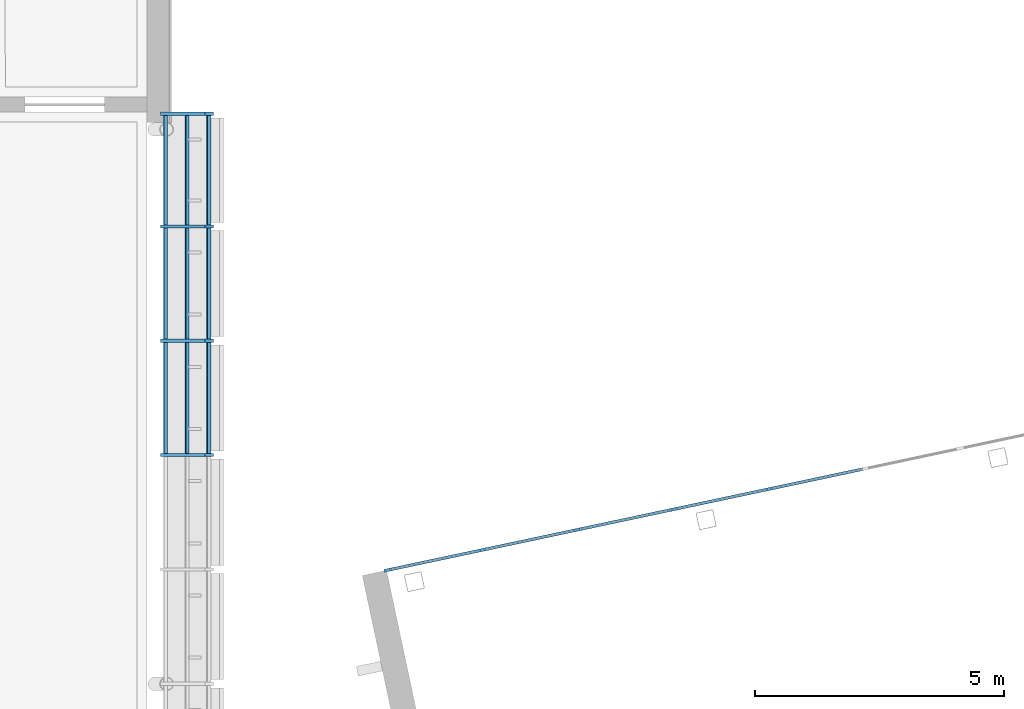
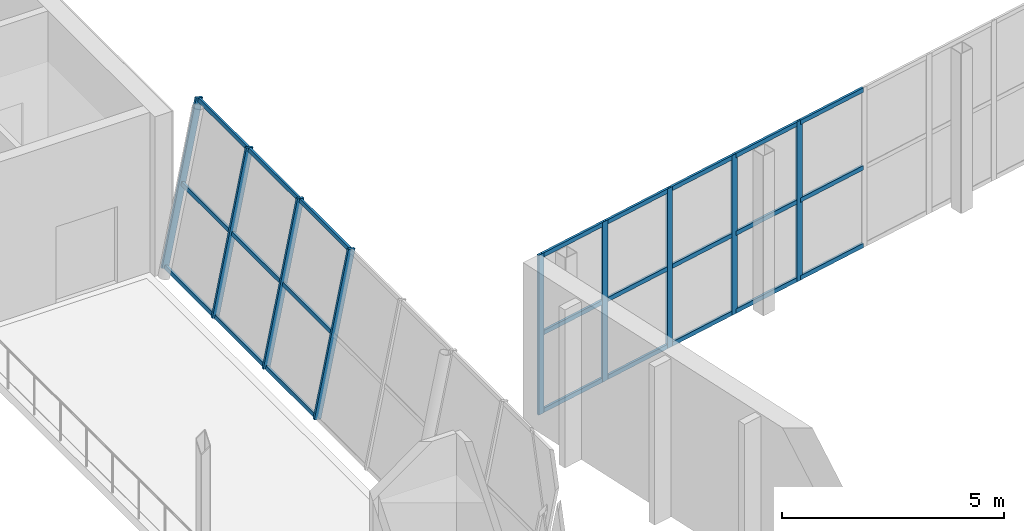
# One storey, part 41 of 115: 33 members, 2 elements without a shape of their own.
"""IFC4 building model written with IfcOpenShell, lengths in metres."""

import ifcopenshell
import ifcopenshell.guid

model = None  # the IFC model being written
_history = None  # IfcOwnerHistory: only IFC2X3 demands one
_inside = {}  # id of a spatial element -> (the spatial element, [elements in it])
_under = {}  # id of a project, library or spatial element -> (it, [spatial elements below it])
_declared = {}  # id of a project -> (the project, [libraries it declares])
_typed = {}  # id of a type object -> (the type object, [elements of that type])
_made_of = {}  # id of a material, layer set ... -> (it, [elements and type objects made of it])


def new_model(schema):
    """Start an empty IFC model of exactly this schema.

    Asked for "IFC4X3", IfcOpenShell would pick the latest addendum, in which some entities
    have other attributes; the version numbers below select the first issue.
    IFC2X3 requires an IfcOwnerHistory on every rooted entity: one is made here for all.
    """
    global model, _history
    if schema == "IFC4X3":
        model = ifcopenshell.file(schema_version=(4, 3, 0, 0))
    else:
        model = ifcopenshell.file(schema=schema)
    _inside.clear()
    _under.clear()
    _declared.clear()
    _typed.clear()
    _made_of.clear()
    _history = None
    if model.schema == "IFC2X3":
        org = make("IfcOrganization", Name="unknown")
        user = make(
            "IfcPersonAndOrganization",
            ThePerson=make("IfcPerson", FamilyName="unknown"),
            TheOrganization=org,
        )
        app = make(
            "IfcApplication",
            ApplicationDeveloper=org,
            Version="unknown",
            ApplicationFullName="unknown",
            ApplicationIdentifier="unknown",
        )
        _history = make(
            "IfcOwnerHistory",
            OwningUser=user,
            OwningApplication=app,
            ChangeAction="ADDED",
            CreationDate=0,
        )
    return model


def make(cls, **values):
    """One entity of the class cls with the attributes given. An attribute that is None is left unset."""
    return model.create_entity(
        cls, **{name: value for name, value in values.items() if value is not None}
    )


def rooted(cls, **values):
    """An entity with a GlobalId (a new one), such as an element, a storey or a relation."""
    return make(cls, GlobalId=ifcopenshell.guid.new(), OwnerHistory=_history, **values)


def si_unit(unit_type, name, prefix=None):
    """IfcSIUnit, for example si_unit("LENGTHUNIT", "METRE", prefix="MILLI")."""
    return make("IfcSIUnit", UnitType=unit_type, Prefix=prefix, Name=name)


def assignment(units):
    """IfcUnitAssignment: the units of a project."""
    return None if units is None else make("IfcUnitAssignment", Units=units)


def point(xyz):
    """IfcCartesianPoint."""
    return None if xyz is None else make("IfcCartesianPoint", Coordinates=xyz)


def direction(xyz):
    """IfcDirection."""
    return None if xyz is None else make("IfcDirection", DirectionRatios=xyz)


def frame(location, z_axis=None, x_axis=None):
    """IfcAxis2Placement3D, a coordinate frame: its origin and axes. An axis left out is left unset."""
    return make(
        "IfcAxis2Placement3D",
        Location=point(location),
        Axis=direction(z_axis),
        RefDirection=direction(x_axis),
    )


def frame_2d(location, x_axis=None):
    """IfcAxis2Placement2D, a coordinate frame in the plane: its origin and x axis."""
    return make(
        "IfcAxis2Placement2D", Location=point(location), RefDirection=direction(x_axis)
    )


def origin():
    """The frame at (0, 0, 0) with its axes left unset."""
    return frame((0.0, 0.0, 0.0))


def origin_2d():
    """The frame at (0, 0) in the plane with its x axis left unset."""
    return frame_2d((0.0, 0.0))


def place(relative_to, where):
    """IfcLocalPlacement: puts the frame where relative to a parent placement (None: the world)."""
    return make(
        "IfcLocalPlacement", PlacementRelTo=relative_to, RelativePlacement=where
    )


def context(
    kind, dimensions, precision=None, world=None, true_north=None, identifier=None
):
    """IfcGeometricRepresentationContext, for example the 3D "Model" context."""
    return make(
        "IfcGeometricRepresentationContext",
        ContextIdentifier=identifier,
        ContextType=kind,
        CoordinateSpaceDimension=dimensions,
        Precision=precision,
        WorldCoordinateSystem=world,
        TrueNorth=true_north,
    )


def subcontext(parent, identifier, kind, view, scale=None):
    """IfcGeometricRepresentationSubContext, for example "Body" below "Model"."""
    return make(
        "IfcGeometricRepresentationSubContext",
        ContextIdentifier=identifier,
        ContextType=kind,
        ParentContext=parent,
        TargetScale=scale,
        TargetView=view,
    )


def project(units=None, contexts=None):
    """IfcProject with its units and contexts."""
    return rooted(
        "IfcProject",
        Name="project",
        RepresentationContexts=contexts,
        UnitsInContext=assignment(units),
    )


def spatial(cls, under=None, at=None, **own):
    """A site, building, storey or space (cls), placed at a placement, below another one or the project."""
    s = rooted(cls, ObjectPlacement=at, **own)
    if under is not None:
        _under.setdefault(under.id(), (under, []))[1].append(s)
    return s


def profile(cls, at=None, kind="AREA", **sizes):
    """A parametric profile (cls). Its sizes go by their IFC names, for example OverallWidth=200.0."""
    return make(cls, ProfileType=kind, Position=at, **sizes)


def rectangle(**sizes):
    """IfcRectangleProfileDef."""
    return profile("IfcRectangleProfileDef", **sizes)


def extrude(swept, where, along, depth):
    """IfcExtrudedAreaSolid: the profile swept, set in the frame where, extruded along a direction by depth."""
    return make(
        "IfcExtrudedAreaSolid",
        SweptArea=swept,
        Position=where,
        ExtrudedDirection=direction(along),
        Depth=depth,
    )


def shape(context_of_items, identifier, shape_type, items):
    """IfcShapeRepresentation: the items that make up one representation, for example the "Body"."""
    return make(
        "IfcShapeRepresentation",
        ContextOfItems=context_of_items,
        RepresentationIdentifier=identifier,
        RepresentationType=shape_type,
        Items=items,
    )


def material(Name=None, Category=None):
    """IfcMaterial."""
    return make("IfcMaterial", Name=Name, Category=Category)


def layer(
    of_material, thickness, ventilated=None, Name=None, Category=None, Priority=None
):
    """IfcMaterialLayer: one layer of a wall or slab, of a material (None: an air gap)."""
    return make(
        "IfcMaterialLayer",
        Material=of_material,
        LayerThickness=thickness,
        IsVentilated=ventilated,
        Name=Name,
        Category=Category,
        Priority=Priority,
    )


def layer_set(layers, Name=None):
    """IfcMaterialLayerSet."""
    return make("IfcMaterialLayerSet", MaterialLayers=layers, LayerSetName=Name)


def material_profile(
    of_material, cross_section, Name=None, Category=None, Priority=None
):
    """IfcMaterialProfile: a cross section and its material."""
    return make(
        "IfcMaterialProfile",
        Name=Name,
        Material=of_material,
        Profile=cross_section,
        Priority=Priority,
        Category=Category,
    )


def profile_set(profiles, Name=None, composite=None):
    """IfcMaterialProfileSet."""
    return make(
        "IfcMaterialProfileSet",
        Name=Name,
        MaterialProfiles=profiles,
        CompositeProfile=composite,
    )


def made_of(thing, what):
    """Note that an element or type object is made of a material, layer set ...; save() writes the relation."""
    if what is not None:
        _made_of.setdefault(what.id(), (what, []))[1].append(thing)
    return thing


def type_object(cls, material=None, **own):
    """A type object (cls), such as IfcWallType, which elements share."""
    return made_of(rooted(cls, **own), material)


def element(
    cls,
    number,
    at=None,
    inside=None,
    cuts=None,
    type_object=None,
    material=None,
    context=None,
    identifier="Body",
    shape_type=None,
    held_by="IfcProductDefinitionShape",
    body=None,
    shapes=None,
    **own,
):
    """One element of the class cls, such as IfcWall. Its Tag is "e" and its number.

    at: its placement. inside: the storey or other place that contains it. cuts: it is an
    opening in that element (IfcRelVoidsElement). A single representation is given by context,
    identifier, shape_type and body (its items); several are given by shapes. held_by: the class
    of the entity that holds the representations. save() writes the other relations.
    """
    e = rooted(cls, Tag="e%d" % number, ObjectPlacement=at, **own)
    if body is not None:
        shapes = [shape(context, identifier, shape_type, body)]
    if shapes is not None:
        e.Representation = make(held_by, Representations=shapes)
    if inside is not None:
        _inside.setdefault(inside.id(), (inside, []))[1].append(e)
    if cuts is not None:
        rooted(
            "IfcRelVoidsElement", RelatingBuildingElement=cuts, RelatedOpeningElement=e
        )
    if type_object is not None:
        _typed.setdefault(type_object.id(), (type_object, []))[1].append(e)
    return made_of(e, material)


def aggregate(whole, parts):
    """IfcRelAggregates: a whole, such as a stair, and the parts it consists of."""
    return rooted("IfcRelAggregates", RelatingObject=whole, RelatedObjects=parts)


def save(model, path):
    """Write the relations noted so far, then the file.

    IfcRelAggregates (storeys below a building ...), IfcRelContainedInSpatialStructure (elements
    in a storey), IfcRelDefinesByType, IfcRelAssociatesMaterial and IfcRelDeclares: one each for
    every whole, place, type object, material and project.
    """
    for whole, parts in _under.values():
        aggregate(whole, parts)
    for where, things in _inside.values():
        rooted(
            "IfcRelContainedInSpatialStructure",
            RelatedElements=things,
            RelatingStructure=where,
        )
    for kind, things in _typed.values():
        rooted("IfcRelDefinesByType", RelatedObjects=things, RelatingType=kind)
    for what, things in _made_of.values():
        rooted("IfcRelAssociatesMaterial", RelatedObjects=things, RelatingMaterial=what)
    for by, libraries in _declared.values():
        rooted("IfcRelDeclares", RelatingContext=by, RelatedDefinitions=libraries)
    model.write(path)


model = new_model("IFC4")

# Units and contexts
model_context = context("Model", 3, precision=1e-05, world=origin(), true_north=direction((0.0, 1.0)))
body_context = subcontext(model_context, "Body", "Model", "MODEL_VIEW")
ifc_project = project(units=[si_unit("LENGTHUNIT", "METRE"), si_unit("AREAUNIT", "SQUARE_METRE"), si_unit("VOLUMEUNIT", "CUBIC_METRE"), si_unit("PLANEANGLEUNIT", "RADIAN"), si_unit("MASSUNIT", "GRAM", prefix="KILO")], contexts=[model_context])

# Site, building, storey
site_placement = place(None, origin())
site = spatial("IfcSite", under=ifc_project, at=site_placement, CompositionType="ELEMENT")
building_placement = place(site_placement, origin())
building = spatial("IfcBuilding", under=site, at=building_placement, Name="Windward Yard Aquatics Centre", CompositionType="ELEMENT")
storey_placement = place(building_placement, frame((0.0, 0.0, 5.0)))
storey = spatial("IfcBuildingStorey", under=building, at=storey_placement, Name="L01", CompositionType="ELEMENT", Elevation=5.0)

# Curtain wall, members
ifc_material_1 = material(Name="Aluminium and glass", Category="aluminium")
ifc_layer_1 = layer(ifc_material_1, 0.159912109375)
ifc_layer_set_1 = layer_set([ifc_layer_1], Name="D curtain wall 160")
curtain_wall_type_1 = type_object("IfcCurtainWallType", Name="D curtain wall 160", PredefinedType="NOTDEFINED", material=ifc_layer_set_1)
curtain_wall_1_placement = place(storey_placement, origin())
curtain_wall_1 = element("IfcCurtainWall", 1, at=curtain_wall_1_placement, inside=storey, type_object=curtain_wall_type_1, Name="North glazing L01", PredefinedType="NOTDEFINED")
ifc_material_2 = material(Name="Aluminium extrusion", Category="aluminium")
ifc_material_profile_1 = material_profile(ifc_material_2, rectangle(XDim=0.06005859375, YDim=0.159912109375, at=origin_2d()), Name="MULLION 60X160")
ifc_profile_set_1 = profile_set([ifc_material_profile_1], Name="Aluminium extrusion")
member_type_1 = type_object("IfcMemberType", Name="D curtain wall mullion 60X160", PredefinedType="MULLION", material=ifc_profile_set_1)
member_1_placement = place(storey_placement, frame((156.399169921875, 74.788330078125, 0.0), z_axis=(0.0, 0.0, 1.0), x_axis=(-0.207911718662, 0.978147594815, 0.0)))
member_1 = element("IfcMember", 2, at=member_1_placement, type_object=member_type_1, Name="DCW-L01 mullion 1", PredefinedType="MULLION", context=body_context, shape_type="SweptSolid", body=[
    extrude(rectangle(XDim=0.06005859375, YDim=0.159912109375, at=origin_2d()), origin(), (0.0, 0.0, 1.0), 4.39990234375),
])
member_2_placement = place(storey_placement, frame((158.292724609375, 75.19091796875, 0.0), z_axis=(0.0, 0.0, 1.0), x_axis=(-0.207911718662, 0.978147594815, 0.0)))
member_2 = element("IfcMember", 3, at=member_2_placement, type_object=member_type_1, Name="DCW-L01 mullion 2", PredefinedType="MULLION", context=body_context, shape_type="SweptSolid", body=[
    extrude(rectangle(XDim=0.06005859375, YDim=0.159912109375, at=origin_2d()), origin(), (0.0, 0.0, 1.0), 4.39990234375),
])
member_3_placement = place(storey_placement, frame((160.215576171875, 75.599609375, 0.0), z_axis=(0.0, 0.0, 1.0), x_axis=(-0.207911718662, 0.978147594815, 0.0)))
member_3 = element("IfcMember", 4, at=member_3_placement, type_object=member_type_1, Name="DCW-L01 mullion 3", PredefinedType="MULLION", context=body_context, shape_type="SweptSolid", body=[
    extrude(rectangle(XDim=0.06005859375, YDim=0.159912109375, at=origin_2d()), origin(), (0.0, 0.0, 1.0), 4.39990234375),
])
member_4_placement = place(storey_placement, frame((162.13818359375, 76.00830078125, 0.0), z_axis=(0.0, 0.0, 1.0), x_axis=(-0.207911718662, 0.978147594815, 0.0)))
member_4 = element("IfcMember", 5, at=member_4_placement, type_object=member_type_1, Name="DCW-L01 mullion 4", PredefinedType="MULLION", context=body_context, shape_type="SweptSolid", body=[
    extrude(rectangle(XDim=0.06005859375, YDim=0.159912109375, at=origin_2d()), origin(), (0.0, 0.0, 1.0), 4.39990234375),
])
member_5_placement = place(storey_placement, frame((164.06103515625, 76.4169921875, 0.0), z_axis=(0.0, 0.0, 1.0), x_axis=(-0.207911718662, 0.978147594815, 0.0)))
member_5 = element("IfcMember", 6, at=member_5_placement, type_object=member_type_1, Name="DCW-L01 mullion 5", PredefinedType="MULLION", context=body_context, shape_type="SweptSolid", body=[
    extrude(rectangle(XDim=0.06005859375, YDim=0.159912109375, at=origin_2d()), origin(), (0.0, 0.0, 1.0), 4.39990234375),
])
ifc_material_profile_2 = material_profile(ifc_material_2, rectangle(XDim=0.06005859375, YDim=0.1201171875, at=origin_2d()), Name="TRANSOM 60X120")
ifc_profile_set_2 = profile_set([ifc_material_profile_2], Name="Aluminium extrusion")
member_type_2 = type_object("IfcMemberType", Name="D curtain wall transom 60X120", PredefinedType="USERDEFINED", material=ifc_profile_set_2)
member_6_placement = place(storey_placement, frame((156.428466796875, 74.794677734375, 0.06005859375), z_axis=(0.97815719688, 0.207866539377, 0.0), x_axis=(-0.207866539377, 0.97815719688, 0.0)))
member_6 = element("IfcMember", 7, at=member_6_placement, type_object=member_type_2, Name="DCW-L01 transom 1.1", ObjectType="TRANSOM", PredefinedType="USERDEFINED", context=body_context, shape_type="SweptSolid", body=[
    extrude(rectangle(XDim=0.06005859375, YDim=0.1201171875, at=origin_2d()), origin(), (0.0, 0.0, 1.0), 1.875732421875),
])
member_7_placement = place(storey_placement, frame((156.428466796875, 74.794677734375, 2.199951171875), z_axis=(0.97815719688, 0.207866539377, 0.0), x_axis=(-0.207866539377, 0.97815719688, 0.0)))
member_7 = element("IfcMember", 8, at=member_7_placement, type_object=member_type_2, Name="DCW-L01 transom 1.2", ObjectType="TRANSOM", PredefinedType="USERDEFINED", context=body_context, shape_type="SweptSolid", body=[
    extrude(rectangle(XDim=0.06005859375, YDim=0.1201171875, at=origin_2d()), origin(), (0.0, 0.0, 1.0), 1.875732421875),
])
member_8_placement = place(storey_placement, frame((156.428466796875, 74.794677734375, 4.340087890625), z_axis=(0.97815719688, 0.207866539377, 0.0), x_axis=(-0.207866539377, 0.97815719688, 0.0)))
member_8 = element("IfcMember", 9, at=member_8_placement, type_object=member_type_2, Name="DCW-L01 transom 1.3", ObjectType="TRANSOM", PredefinedType="USERDEFINED", context=body_context, shape_type="SweptSolid", body=[
    extrude(rectangle(XDim=0.06005859375, YDim=0.1201171875, at=origin_2d()), origin(), (0.0, 0.0, 1.0), 1.875732421875),
])
member_9_placement = place(storey_placement, frame((158.322021484375, 75.197021484375, 0.06005859375), z_axis=(0.978144196583, 0.207927705443, 0.0), x_axis=(-0.207927705443, 0.978144196583, 0.0)))
member_9 = element("IfcMember", 10, at=member_9_placement, type_object=member_type_2, Name="DCW-L01 transom 2.1", ObjectType="TRANSOM", PredefinedType="USERDEFINED", context=body_context, shape_type="SweptSolid", body=[
    extrude(rectangle(XDim=0.06005859375, YDim=0.1201171875, at=origin_2d()), origin(), (0.0, 0.0, 1.0), 1.90576171875),
])
member_10_placement = place(storey_placement, frame((158.322021484375, 75.197021484375, 2.199951171875), z_axis=(0.978144196583, 0.207927705443, 0.0), x_axis=(-0.207927705443, 0.978144196583, 0.0)))
member_10 = element("IfcMember", 11, at=member_10_placement, type_object=member_type_2, Name="DCW-L01 transom 2.2", ObjectType="TRANSOM", PredefinedType="USERDEFINED", context=body_context, shape_type="SweptSolid", body=[
    extrude(rectangle(XDim=0.06005859375, YDim=0.1201171875, at=origin_2d()), origin(), (0.0, 0.0, 1.0), 1.90576171875),
])
member_11_placement = place(storey_placement, frame((158.322021484375, 75.197021484375, 4.340087890625), z_axis=(0.978144196583, 0.207927705443, 0.0), x_axis=(-0.207927705443, 0.978144196583, 0.0)))
member_11 = element("IfcMember", 12, at=member_11_placement, type_object=member_type_2, Name="DCW-L01 transom 2.3", ObjectType="TRANSOM", PredefinedType="USERDEFINED", context=body_context, shape_type="SweptSolid", body=[
    extrude(rectangle(XDim=0.06005859375, YDim=0.1201171875, at=origin_2d()), origin(), (0.0, 0.0, 1.0), 1.90576171875),
])
member_12_placement = place(storey_placement, frame((160.244873046875, 75.605712890625, 0.06005859375), z_axis=(0.978144196583, 0.207927705443, 0.0), x_axis=(-0.207927705443, 0.978144196583, 0.0)))
member_12 = element("IfcMember", 13, at=member_12_placement, type_object=member_type_2, Name="DCW-L01 transom 3.1", ObjectType="TRANSOM", PredefinedType="USERDEFINED", context=body_context, shape_type="SweptSolid", body=[
    extrude(rectangle(XDim=0.06005859375, YDim=0.1201171875, at=origin_2d()), origin(), (0.0, 0.0, 1.0), 1.90576171875),
])
member_13_placement = place(storey_placement, frame((160.244873046875, 75.605712890625, 2.199951171875), z_axis=(0.978144196583, 0.207927705443, 0.0), x_axis=(-0.207927705443, 0.978144196583, 0.0)))
member_13 = element("IfcMember", 14, at=member_13_placement, type_object=member_type_2, Name="DCW-L01 transom 3.2", ObjectType="TRANSOM", PredefinedType="USERDEFINED", context=body_context, shape_type="SweptSolid", body=[
    extrude(rectangle(XDim=0.06005859375, YDim=0.1201171875, at=origin_2d()), origin(), (0.0, 0.0, 1.0), 1.90576171875),
])
member_14_placement = place(storey_placement, frame((160.244873046875, 75.605712890625, 4.340087890625), z_axis=(0.978144196583, 0.207927705443, 0.0), x_axis=(-0.207927705443, 0.978144196583, 0.0)))
member_14 = element("IfcMember", 15, at=member_14_placement, type_object=member_type_2, Name="DCW-L01 transom 3.3", ObjectType="TRANSOM", PredefinedType="USERDEFINED", context=body_context, shape_type="SweptSolid", body=[
    extrude(rectangle(XDim=0.06005859375, YDim=0.1201171875, at=origin_2d()), origin(), (0.0, 0.0, 1.0), 1.90576171875),
])
member_15_placement = place(storey_placement, frame((162.167724609375, 76.014404296875, 0.06005859375), z_axis=(0.978144196583, 0.207927705443, 0.0), x_axis=(-0.207927705443, 0.978144196583, 0.0)))
member_15 = element("IfcMember", 16, at=member_15_placement, type_object=member_type_2, Name="DCW-L01 transom 4.1", ObjectType="TRANSOM", PredefinedType="USERDEFINED", context=body_context, shape_type="SweptSolid", body=[
    extrude(rectangle(XDim=0.06005859375, YDim=0.1201171875, at=origin_2d()), origin(), (0.0, 0.0, 1.0), 1.90576171875),
])
member_16_placement = place(storey_placement, frame((162.167724609375, 76.014404296875, 2.199951171875), z_axis=(0.978144196583, 0.207927705443, 0.0), x_axis=(-0.207927705443, 0.978144196583, 0.0)))
member_16 = element("IfcMember", 17, at=member_16_placement, type_object=member_type_2, Name="DCW-L01 transom 4.2", ObjectType="TRANSOM", PredefinedType="USERDEFINED", context=body_context, shape_type="SweptSolid", body=[
    extrude(rectangle(XDim=0.06005859375, YDim=0.1201171875, at=origin_2d()), origin(), (0.0, 0.0, 1.0), 1.90576171875),
])
member_17_placement = place(storey_placement, frame((162.167724609375, 76.014404296875, 4.340087890625), z_axis=(0.978144196583, 0.207927705443, 0.0), x_axis=(-0.207927705443, 0.978144196583, 0.0)))
member_17 = element("IfcMember", 18, at=member_17_placement, type_object=member_type_2, Name="DCW-L01 transom 4.3", ObjectType="TRANSOM", PredefinedType="USERDEFINED", context=body_context, shape_type="SweptSolid", body=[
    extrude(rectangle(XDim=0.06005859375, YDim=0.1201171875, at=origin_2d()), origin(), (0.0, 0.0, 1.0), 1.90576171875),
])
member_18_placement = place(storey_placement, frame((164.090576171875, 76.423095703125, 0.06005859375), z_axis=(0.978144196583, 0.207927705443, 0.0), x_axis=(-0.207927705443, 0.978144196583, 0.0)))
member_18 = element("IfcMember", 19, at=member_18_placement, type_object=member_type_2, Name="DCW-L01 transom 5.1", ObjectType="TRANSOM", PredefinedType="USERDEFINED", context=body_context, shape_type="SweptSolid", body=[
    extrude(rectangle(XDim=0.06005859375, YDim=0.1201171875, at=origin_2d()), origin(), (0.0, 0.0, 1.0), 1.90576171875),
])
member_19_placement = place(storey_placement, frame((164.090576171875, 76.423095703125, 2.199951171875), z_axis=(0.978144196583, 0.207927705443, 0.0), x_axis=(-0.207927705443, 0.978144196583, 0.0)))
member_19 = element("IfcMember", 20, at=member_19_placement, type_object=member_type_2, Name="DCW-L01 transom 5.2", ObjectType="TRANSOM", PredefinedType="USERDEFINED", context=body_context, shape_type="SweptSolid", body=[
    extrude(rectangle(XDim=0.06005859375, YDim=0.1201171875, at=origin_2d()), origin(), (0.0, 0.0, 1.0), 1.90576171875),
])
member_20_placement = place(storey_placement, frame((164.090576171875, 76.423095703125, 4.340087890625), z_axis=(0.978144196583, 0.207927705443, 0.0), x_axis=(-0.207927705443, 0.978144196583, 0.0)))
member_20 = element("IfcMember", 21, at=member_20_placement, type_object=member_type_2, Name="DCW-L01 transom 5.3", ObjectType="TRANSOM", PredefinedType="USERDEFINED", context=body_context, shape_type="SweptSolid", body=[
    extrude(rectangle(XDim=0.06005859375, YDim=0.1201171875, at=origin_2d()), origin(), (0.0, 0.0, 1.0), 1.90576171875),
])
aggregate(curtain_wall_1, [member_1, member_2, member_3, member_4, member_5, member_6, member_7, member_8, member_9, member_10, member_11, member_12, member_13, member_14, member_15, member_16, member_17, member_18, member_19, member_20])

ifc_material_3 = material(Name="Glass and aluminium curtain wall", Category="aluminium")
ifc_layer_2 = layer(ifc_material_3, 0.179931640625)
ifc_layer_set_2 = layer_set([ifc_layer_2], Name="H curtain wall tier 1 double glazed 8+16+8")
curtain_wall_type_2 = type_object("IfcCurtainWallType", Name="H curtain wall tier 1 double glazed 8+16+8", PredefinedType="NOTDEFINED", material=ifc_layer_set_2)
curtain_wall_2_placement = place(storey_placement, origin())
curtain_wall_2 = element("IfcCurtainWall", 22, at=curtain_wall_2_placement, inside=storey, type_object=curtain_wall_type_2, Name="Tier 1 glazing E L01", PredefinedType="NOTDEFINED")
ifc_material_4 = material(Name="Aluminium 6063-T6 anodised", Category="aluminium")
ifc_material_profile_3 = material_profile(ifc_material_4, rectangle(XDim=0.06494140625, YDim=0.179931640625, at=origin_2d()), Name="H CW mullion 65x180")
ifc_profile_set_3 = profile_set([ifc_material_profile_3], Name="Aluminium 6063-T6 anodised")
member_type_3 = type_object("IfcMemberType", Name="H CW mullion 65x180", PredefinedType="MULLION", material=ifc_profile_set_3)
member_21_placement = place(storey_placement, frame((151.911865234375, 77.10009765625, 0.017822265625), z_axis=(0.199380237329, 0.0, 0.979922201485), x_axis=(0.0, 1.0, 0.0)))
member_21 = element("IfcMember", 23, at=member_21_placement, type_object=member_type_3, Name="G1EA mullion 18", PredefinedType="MULLION", context=body_context, shape_type="SweptSolid", body=[
    extrude(rectangle(XDim=0.06494140625, YDim=0.179931640625, at=origin_2d()), origin(), (0.0, 0.0, 1.0), 4.471923828125),
])
member_22_placement = place(storey_placement, frame((151.911865234375, 79.39990234375, 0.017822265625), z_axis=(0.199380237329, 0.0, 0.979922201485), x_axis=(0.0, 1.0, 0.0)))
member_22 = element("IfcMember", 24, at=member_22_placement, type_object=member_type_3, Name="G1EA mullion 19", PredefinedType="MULLION", context=body_context, shape_type="SweptSolid", body=[
    extrude(rectangle(XDim=0.06494140625, YDim=0.179931640625, at=origin_2d()), origin(), (0.0, 0.0, 1.0), 4.471923828125),
])
member_23_placement = place(storey_placement, frame((151.911865234375, 81.699951171875, 0.017822265625), z_axis=(0.199380237329, 0.0, 0.979922201485), x_axis=(0.0, 1.0, 0.0)))
member_23 = element("IfcMember", 25, at=member_23_placement, type_object=member_type_3, Name="G1EA mullion 20", PredefinedType="MULLION", context=body_context, shape_type="SweptSolid", body=[
    extrude(rectangle(XDim=0.06494140625, YDim=0.179931640625, at=origin_2d()), origin(), (0.0, 0.0, 1.0), 4.471923828125),
])
member_24_placement = place(storey_placement, frame((151.911865234375, 83.967529296875, 0.017822265625), z_axis=(0.199380237329, 0.0, 0.979922201485), x_axis=(0.0, 1.0, 0.0)))
member_24 = element("IfcMember", 26, at=member_24_placement, type_object=member_type_3, Name="G1EA mullion 21", PredefinedType="MULLION", context=body_context, shape_type="SweptSolid", body=[
    extrude(rectangle(XDim=0.06494140625, YDim=0.179931640625, at=origin_2d()), origin(), (0.0, 0.0, 1.0), 4.471923828125),
])
ifc_material_profile_4 = material_profile(ifc_material_4, rectangle(XDim=0.06494140625, YDim=0.10009765625, at=origin_2d()), Name="H CW transom 65x100")
ifc_profile_set_4 = profile_set([ifc_material_profile_4], Name="Aluminium 6063-T6 anodised")
member_type_4 = type_object("IfcMemberType", Name="H CW transom 65x100", PredefinedType="USERDEFINED", material=ifc_profile_set_4)
member_25_placement = place(storey_placement, frame((151.91943359375, 77.132568359375, 0.055419921875), z_axis=(0.0, 1.0, 0.0), x_axis=(-0.979924704642, 0.0, 0.199367934315)))
member_25 = element("IfcMember", 27, at=member_25_placement, type_object=member_type_4, Name="G1EA transom 18.1", ObjectType="TRANSOM", PredefinedType="USERDEFINED", context=body_context, shape_type="SweptSolid", body=[
    extrude(rectangle(XDim=0.06494140625, YDim=0.10009765625, at=origin_2d()), origin(), (0.0, 0.0, 1.0), 2.23486328125),
])
member_26_placement = place(storey_placement, frame((152.355712890625, 77.132568359375, 2.199951171875), z_axis=(0.0, 1.0, 0.0), x_axis=(-0.979924704642, 0.0, 0.199367934315)))
member_26 = element("IfcMember", 28, at=member_26_placement, type_object=member_type_4, Name="G1EA transom 18.2", ObjectType="TRANSOM", PredefinedType="USERDEFINED", context=body_context, shape_type="SweptSolid", body=[
    extrude(rectangle(XDim=0.06494140625, YDim=0.10009765625, at=origin_2d()), origin(), (0.0, 0.0, 1.0), 2.23486328125),
])
member_27_placement = place(storey_placement, frame((152.79345703125, 77.132568359375, 4.35107421875), z_axis=(0.0, 1.0, 0.0), x_axis=(-0.979924704642, 0.0, 0.199367934315)))
member_27 = element("IfcMember", 29, at=member_27_placement, type_object=member_type_4, Name="G1EA transom 18.3", ObjectType="TRANSOM", PredefinedType="USERDEFINED", context=body_context, shape_type="SweptSolid", body=[
    extrude(rectangle(XDim=0.06494140625, YDim=0.10009765625, at=origin_2d()), origin(), (0.0, 0.0, 1.0), 2.23486328125),
])
member_28_placement = place(storey_placement, frame((151.91943359375, 79.4326171875, 0.055419921875), z_axis=(0.0, 1.0, 0.0), x_axis=(-0.979924704642, 0.0, 0.199367934315)))
member_28 = element("IfcMember", 30, at=member_28_placement, type_object=member_type_4, Name="G1EA transom 19.1", ObjectType="TRANSOM", PredefinedType="USERDEFINED", context=body_context, shape_type="SweptSolid", body=[
    extrude(rectangle(XDim=0.06494140625, YDim=0.10009765625, at=origin_2d()), origin(), (0.0, 0.0, 1.0), 2.23486328125),
])
member_29_placement = place(storey_placement, frame((152.355712890625, 79.4326171875, 2.199951171875), z_axis=(0.0, 1.0, 0.0), x_axis=(-0.979924704642, 0.0, 0.199367934315)))
member_29 = element("IfcMember", 31, at=member_29_placement, type_object=member_type_4, Name="G1EA transom 19.2", ObjectType="TRANSOM", PredefinedType="USERDEFINED", context=body_context, shape_type="SweptSolid", body=[
    extrude(rectangle(XDim=0.06494140625, YDim=0.10009765625, at=origin_2d()), origin(), (0.0, 0.0, 1.0), 2.23486328125),
])
member_30_placement = place(storey_placement, frame((152.79345703125, 79.4326171875, 4.35107421875), z_axis=(0.0, 1.0, 0.0), x_axis=(-0.979924704642, 0.0, 0.199367934315)))
member_30 = element("IfcMember", 32, at=member_30_placement, type_object=member_type_4, Name="G1EA transom 19.3", ObjectType="TRANSOM", PredefinedType="USERDEFINED", context=body_context, shape_type="SweptSolid", body=[
    extrude(rectangle(XDim=0.06494140625, YDim=0.10009765625, at=origin_2d()), origin(), (0.0, 0.0, 1.0), 2.23486328125),
])
member_31_placement = place(storey_placement, frame((151.91943359375, 81.732421875, 0.055419921875), z_axis=(0.0, 1.0, 0.0), x_axis=(-0.979924704642, 0.0, 0.199367934315)))
member_31 = element("IfcMember", 33, at=member_31_placement, type_object=member_type_4, Name="G1EA transom 20.1", ObjectType="TRANSOM", PredefinedType="USERDEFINED", context=body_context, shape_type="SweptSolid", body=[
    extrude(rectangle(XDim=0.06494140625, YDim=0.10009765625, at=origin_2d()), origin(), (0.0, 0.0, 1.0), 2.20263671875),
])
member_32_placement = place(storey_placement, frame((152.355712890625, 81.732421875, 2.199951171875), z_axis=(0.0, 1.0, 0.0), x_axis=(-0.979924704642, 0.0, 0.199367934315)))
member_32 = element("IfcMember", 34, at=member_32_placement, type_object=member_type_4, Name="G1EA transom 20.2", ObjectType="TRANSOM", PredefinedType="USERDEFINED", context=body_context, shape_type="SweptSolid", body=[
    extrude(rectangle(XDim=0.06494140625, YDim=0.10009765625, at=origin_2d()), origin(), (0.0, 0.0, 1.0), 2.20263671875),
])
member_33_placement = place(storey_placement, frame((152.79345703125, 81.732421875, 4.35107421875), z_axis=(0.0, 1.0, 0.0), x_axis=(-0.979924704642, 0.0, 0.199367934315)))
member_33 = element("IfcMember", 35, at=member_33_placement, type_object=member_type_4, Name="G1EA transom 20.3", ObjectType="TRANSOM", PredefinedType="USERDEFINED", context=body_context, shape_type="SweptSolid", body=[
    extrude(rectangle(XDim=0.06494140625, YDim=0.10009765625, at=origin_2d()), origin(), (0.0, 0.0, 1.0), 2.20263671875),
])
aggregate(curtain_wall_2, [member_21, member_22, member_23, member_24, member_25, member_26, member_27, member_28, member_29, member_30, member_31, member_32, member_33])

save(model, "model.ifc")
